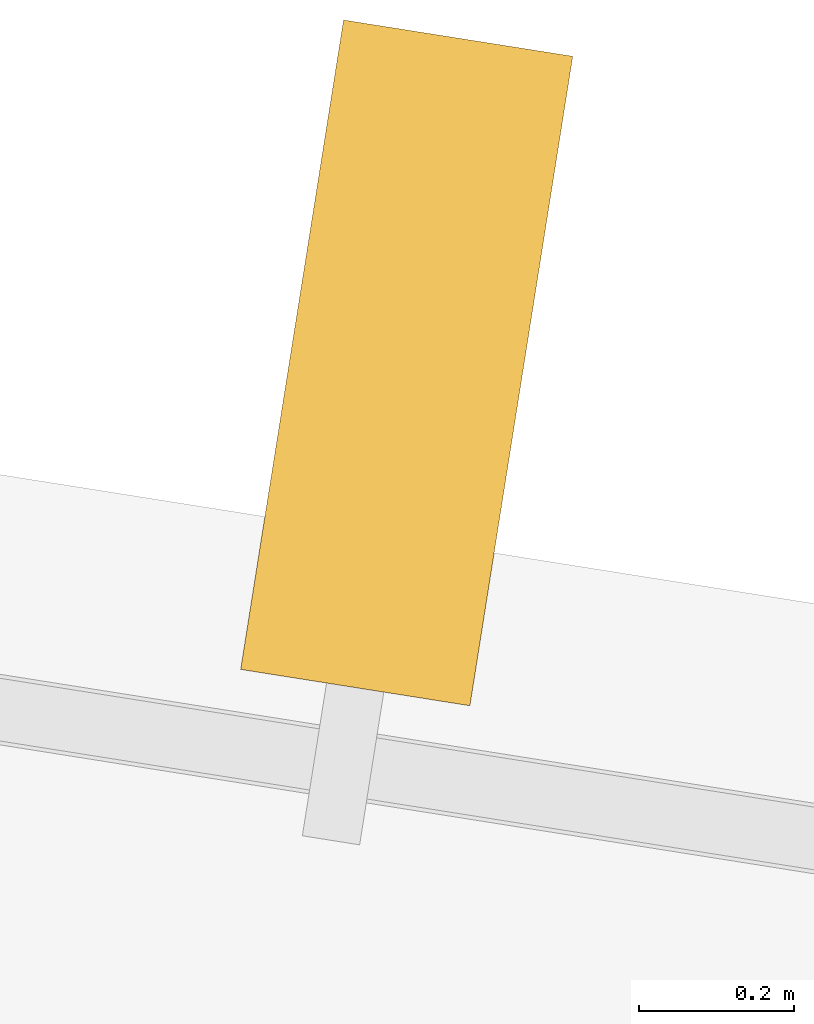
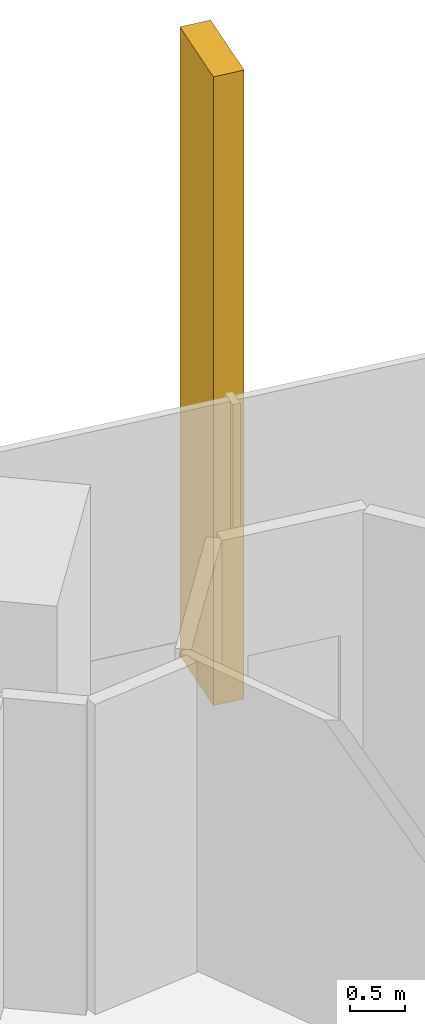
# One storey, part 20 of 23: 1 shading device.
"""IFC4 building model written with IfcOpenShell, lengths in metres."""

from ifc_helpers import new_model, si_unit, direction, frame, origin, origin_2d, place, context, subcontext, project, spatial, rectangle, extrude, source, transform, mapped, material, element, save


model = new_model("IFC4")

# Units and contexts
model_context = context("Model", 3, precision=1e-05, world=origin(), true_north=direction((0.0, 1.0)))
body_context = subcontext(model_context, "Body", "Model", "MODEL_VIEW")
ifc_project = project(units=[si_unit("LENGTHUNIT", "METRE"), si_unit("AREAUNIT", "SQUARE_METRE"), si_unit("VOLUMEUNIT", "CUBIC_METRE"), si_unit("PLANEANGLEUNIT", "RADIAN"), si_unit("MASSUNIT", "GRAM", prefix="KILO")], contexts=[model_context])

# Site, building, storey
site_placement = place(None, origin())
site = spatial("IfcSite", under=ifc_project, at=site_placement, CompositionType="ELEMENT")
building_placement = place(site_placement, origin())
building = spatial("IfcBuilding", under=site, at=building_placement, Name="Triune Harvest Tower", CompositionType="ELEMENT")
storey_placement = place(building_placement, frame((0.0, 0.0, 167.699951171875)))
storey = spatial("IfcBuildingStorey", under=building, at=storey_placement, Name="L43", CompositionType="ELEMENT", Elevation=167.699951171875)

# Shading device
ifc_material = material(Name="Aluminium bronze anodised", Category="aluminium")
shared_shape = source(origin(), body_context, "Body", "SweptSolid", [
    extrude(rectangle(XDim=0.300048828125, YDim=0.85009765625, at=origin_2d()), origin(), (0.0, 0.0, 1.0), 6.97509765625),
])
shading_device_placement = place(storey_placement, frame((3.294677734375, 33.025146484375, 0.0), z_axis=(0.0, 0.0, 1.0), x_axis=(-0.987688615663, 0.156432728322, 0.0)))
element("IfcShadingDevice", 1, at=shading_device_placement, inside=storey, material=ifc_material, Name="FN-2 fin B4-F2.3 L43", ObjectType="FIN", PredefinedType="USERDEFINED", context=body_context, shape_type="MappedRepresentation", body=[
    mapped(shared_shape, transform((0.0, 0.0, 0.0), scale=1.0)),
])

save(model, "model.ifc")
